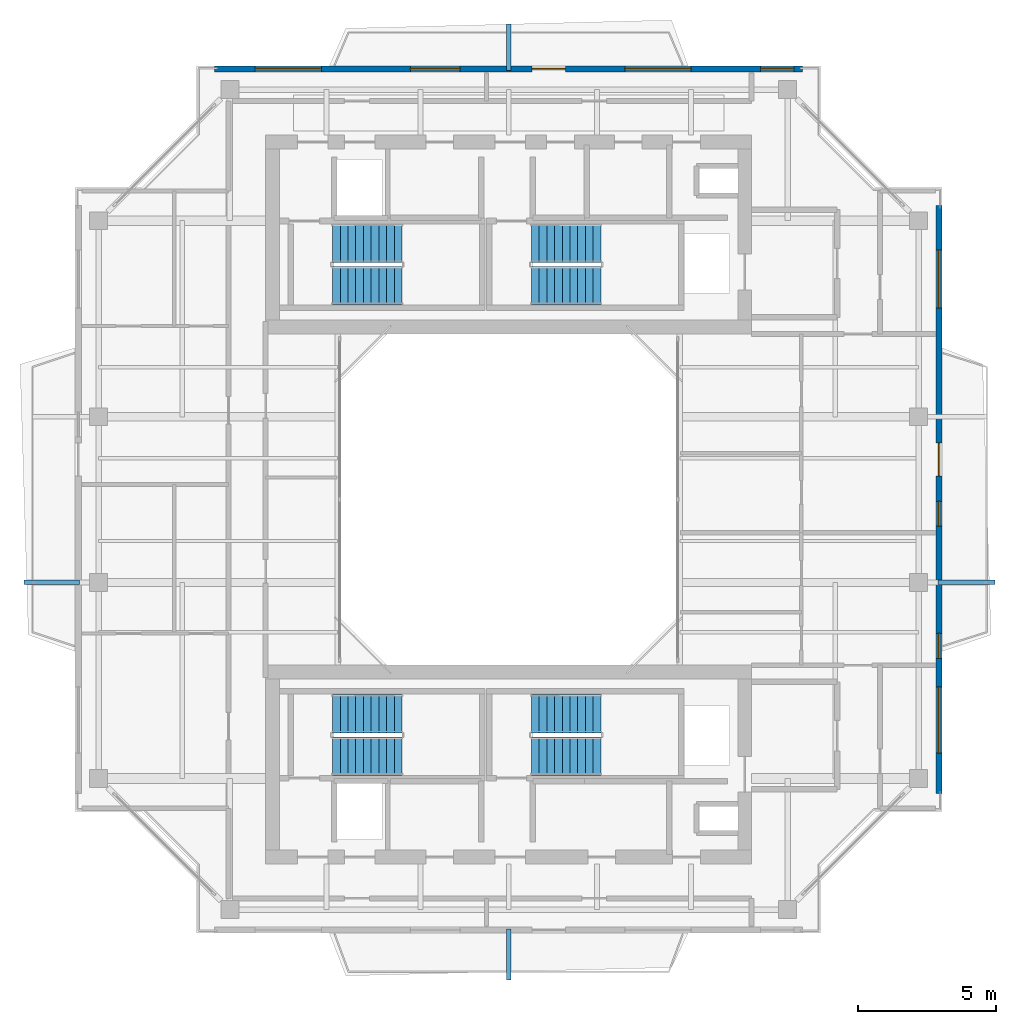
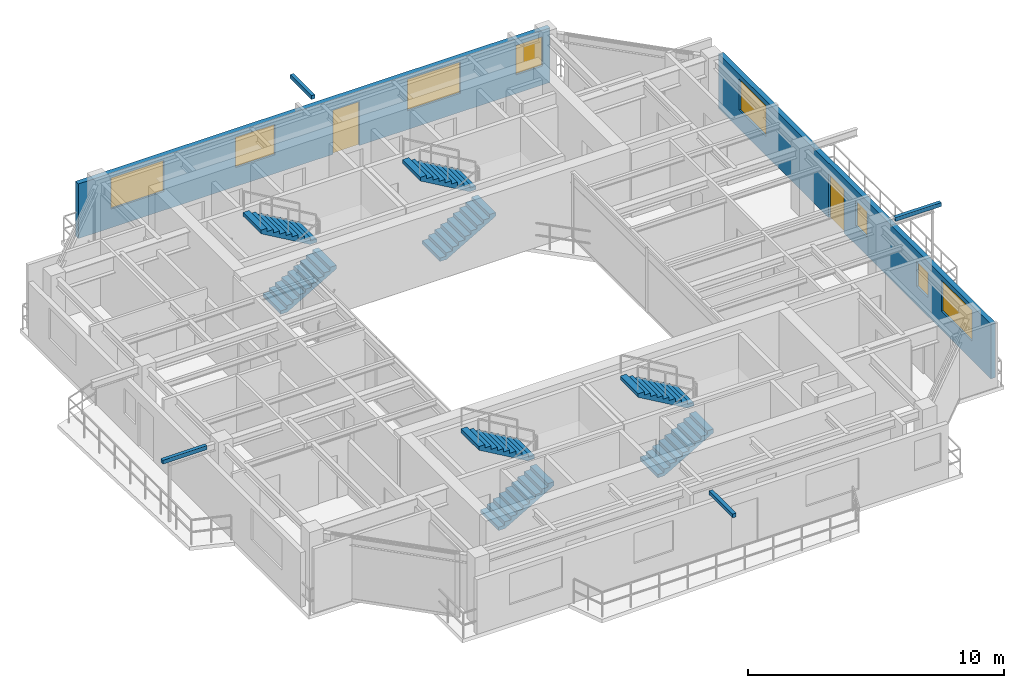
# One storey, part 12 of 14: 8 stair flights, 8 windows, 4 discrete accessories, 2 doors, 2 walls, 10 openings, 4 elements without a shape of their own.
"""IFC4 building model written with IfcOpenShell, lengths in metres."""

from ifc_helpers import new_model, si_unit, direction, frame, frame_2d, origin, origin_2d, place, context, subcontext, project, spatial, polyline, rectangle, outline, extrude, source, transform, mapped, material, layer, layer_set, type_object, element, fill, aggregate, save


model = new_model("IFC4")

# Units and contexts
model_context = context("Model", 3, precision=1e-05, world=origin(), true_north=direction((0.0, 1.0)))
body_context = subcontext(model_context, "Body", "Model", "MODEL_VIEW")
ifc_project = project(units=[si_unit("LENGTHUNIT", "METRE"), si_unit("AREAUNIT", "SQUARE_METRE"), si_unit("VOLUMEUNIT", "CUBIC_METRE"), si_unit("PLANEANGLEUNIT", "RADIAN"), si_unit("MASSUNIT", "GRAM", prefix="KILO"), si_unit("THERMODYNAMICTEMPERATUREUNIT", "KELVIN"), si_unit("POWERUNIT", "WATT")], contexts=[model_context])

# Site, building, storey
site_placement = place(None, origin())
site = spatial("IfcSite", under=ifc_project, at=site_placement, CompositionType="ELEMENT")
building_placement = place(site_placement, origin())
building = spatial("IfcBuilding", under=site, at=building_placement, Name="Qiaomeng Ring Towers", CompositionType="ELEMENT")
storey_placement = place(building_placement, frame((0.0, 0.0, 247.0)))
storey = spatial("IfcBuildingStorey", under=building, at=storey_placement, Name="L72", CompositionType="ELEMENT", Elevation=247.0)

# Wall, openings, windows, door
ifc_material_1 = material(Name="Precast concrete C40", Category="concrete")
ifc_layer = layer(ifc_material_1, 0.219970703125, Name="Precast concrete C40")
ifc_layer_set = layer_set([ifc_layer], Name="Precast concrete C40")
wall_type = type_object("IfcWallType", Name="ARC-WL-EW2", PredefinedType="STANDARD", material=ifc_layer_set)
wall_1_placement = place(storey_placement, frame((8.35009765625, 38.590087890625, 0.0), z_axis=(0.0, 0.0, 1.0), x_axis=(1.0, 0.0, 0.0)))
wall_1 = element("IfcWall", 1, at=wall_1_placement, inside=storey, type_object=wall_type, Name="L72 Tower 1 N Exterior Wall", PredefinedType="STANDARD", context=body_context, shape_type="SweptSolid", body=[
    extrude(rectangle(XDim=21.2998046875, YDim=0.219970703125, at=frame_2d((10.64990234375, 0.0))), origin(), (0.0, 0.0, 1.0), 2.610107421875),
])
opening_1_placement = place(wall_1_placement, frame((11.5, 0.0, 0.0)))
opening_1 = element("IfcOpeningElement", 2, at=opening_1_placement, cuts=wall_1, Name="Opening BD1", PredefinedType="OPENING", context=body_context, shape_type="SweptSolid", body=[
    extrude(rectangle(XDim=1.199951171875, YDim=2.10009765625, at=frame_2d((0.60009765625, 1.050048828125))), frame((0.0, 0.119873046875, 0.0), z_axis=(0.0, -1.0, 0.0), x_axis=(1.0, 0.0, 0.0)), (0.0, 0.0, 1.0), 0.239990234375),
])
opening_2_placement = place(wall_1_placement, frame((1.462890625, 0.0, 0.89990234375)))
opening_2 = element("IfcOpeningElement", 3, at=opening_2_placement, cuts=wall_1, Name="Opening WN6", PredefinedType="OPENING", context=body_context, shape_type="SweptSolid", body=[
    extrude(rectangle(XDim=2.39990234375, YDim=1.47998046875, at=frame_2d((1.199951171875, 0.739990234375))), frame((0.0, 0.119873046875, 0.0), z_axis=(0.0, -1.0, 0.0), x_axis=(1.0, 0.0, 0.0)), (0.0, 0.0, 1.0), 0.239990234375),
])
opening_3_placement = place(wall_1_placement, frame((7.087890625, 0.0, 0.89990234375)))
opening_3 = element("IfcOpeningElement", 4, at=opening_3_placement, cuts=wall_1, Name="Opening WN1", PredefinedType="OPENING", context=body_context, shape_type="SweptSolid", body=[
    extrude(rectangle(XDim=1.800048828125, YDim=1.449951171875, at=frame_2d((0.89990234375, 0.72509765625))), frame((0.0, 0.119873046875, 0.0), z_axis=(0.0, -1.0, 0.0), x_axis=(1.0, 0.0, 0.0)), (0.0, 0.0, 1.0), 0.239990234375),
])
opening_4_placement = place(wall_1_placement, frame((19.77490234375, 0.0, 0.89990234375)))
opening_4 = element("IfcOpeningElement", 5, at=opening_4_placement, cuts=wall_1, Name="Opening WN3", PredefinedType="OPENING", context=body_context, shape_type="SweptSolid", body=[
    extrude(rectangle(XDim=1.199951171875, YDim=1.39990234375, at=frame_2d((0.60009765625, 0.699951171875))), frame((0.0, 0.119873046875, 0.0), z_axis=(0.0, -1.0, 0.0), x_axis=(1.0, 0.0, 0.0)), (0.0, 0.0, 1.0), 0.239990234375),
])
opening_5_placement = place(wall_1_placement, frame((14.860107421875, 0.0, 0.89990234375)))
opening_5 = element("IfcOpeningElement", 6, at=opening_5_placement, cuts=wall_1, Name="Opening WN6", PredefinedType="OPENING", context=body_context, shape_type="SweptSolid", body=[
    extrude(rectangle(XDim=2.39990234375, YDim=1.5, at=frame_2d((1.199951171875, 0.75))), frame((0.0, 0.119873046875, 0.0), z_axis=(0.0, -1.0, 0.0), x_axis=(1.0, 0.0, 0.0)), (0.0, 0.0, 1.0), 0.239990234375),
])
ifc_material_2 = material(Name="Low-E dark-grey laminated double glazing", Category="glass")
window_type_1 = type_object("IfcWindowType", Name="ARC-WN-1", PartitioningType="DOUBLE_PANEL_VERTICAL", PredefinedType="WINDOW", material=ifc_material_2)
shared_shape_1 = source(origin(), body_context, "Body", "SweptSolid", [
    extrude(rectangle(XDim=1.800048828125, YDim=1.449951171875, at=frame_2d((0.89990234375, 0.72509765625))), frame((0.0, 0.030029296875, 0.0), z_axis=(0.0, -1.0, 0.0), x_axis=(1.0, 0.0, 0.0)), (0.0, 0.0, 1.0), 0.06005859375),
])
window_1_placement = place(opening_3_placement, origin())
window_1 = element("IfcWindow", 7, at=window_1_placement, inside=storey, type_object=window_type_1, Name="L72 Exterior Window WN1", OverallHeight=1.449951171875, OverallWidth=1.800048828125, PartitioningType="DOUBLE_PANEL_VERTICAL", PredefinedType="WINDOW", context=body_context, shape_type="MappedRepresentation", body=[
    mapped(shared_shape_1, transform((0.0, 0.0, 0.0), x_axis=(1.0, 0.0, 0.0), y_axis=(0.0, 1.0, 0.0), z_axis=(0.0, 0.0, 1.0), scale=1.0)),
])
fill(opening_3, window_1)
window_type_2 = type_object("IfcWindowType", Name="ARC-WN-6", PartitioningType="TRIPLE_PANEL_VERTICAL", PredefinedType="WINDOW", material=ifc_material_2)
shared_shape_2 = source(origin(), body_context, "Body", "SweptSolid", [
    extrude(rectangle(XDim=2.39990234375, YDim=1.47998046875, at=frame_2d((1.199951171875, 0.739990234375))), frame((0.0, 0.030029296875, 0.0), z_axis=(0.0, -1.0, 0.0), x_axis=(1.0, 0.0, 0.0)), (0.0, 0.0, 1.0), 0.06005859375),
])
window_2_placement = place(opening_2_placement, origin())
window_2 = element("IfcWindow", 8, at=window_2_placement, inside=storey, type_object=window_type_2, Name="L72 Exterior Window WN6", OverallHeight=1.47998046875, OverallWidth=2.39990234375, PartitioningType="TRIPLE_PANEL_VERTICAL", PredefinedType="WINDOW", context=body_context, shape_type="MappedRepresentation", body=[
    mapped(shared_shape_2, transform((0.0, 0.0, 0.0), x_axis=(1.0, 0.0, 0.0), y_axis=(0.0, 1.0, 0.0), z_axis=(0.0, 0.0, 1.0), scale=1.0)),
])
fill(opening_2, window_2)
door_type = type_object("IfcDoorType", Name="ARC-DR-BD1", OperationType="NOTDEFINED", PredefinedType="DOOR", material=ifc_material_2)
shared_shape_3 = source(origin(), body_context, "Body", "SweptSolid", [
    extrude(rectangle(XDim=1.199951171875, YDim=2.10009765625, at=frame_2d((0.60009765625, 1.050048828125))), frame((0.0, 0.02490234375, 0.0), z_axis=(0.0, -1.0, 0.0), x_axis=(1.0, 0.0, 0.0)), (0.0, 0.0, 1.0), 0.050048828125),
])
door_1_placement = place(opening_1_placement, origin())
door_1 = element("IfcDoor", 9, at=door_1_placement, inside=storey, type_object=door_type, Name="L72 N Balcony Glazed Door", OperationType="SINGLE_SWING_LEFT", OverallHeight=2.10009765625, OverallWidth=1.199951171875, PredefinedType="DOOR", context=body_context, shape_type="MappedRepresentation", body=[
    mapped(shared_shape_3, transform((0.0, 0.0, 0.0), x_axis=(1.0, 0.0, 0.0), y_axis=(0.0, 1.0, 0.0), z_axis=(0.0, 0.0, 1.0), scale=1.0)),
])
fill(opening_1, door_1)
shared_shape_4 = source(origin(), body_context, "Body", "SweptSolid", [
    extrude(rectangle(XDim=2.39990234375, YDim=1.5, at=frame_2d((1.199951171875, 0.75))), frame((0.0, 0.030029296875, 0.0), z_axis=(0.0, -1.0, 0.0), x_axis=(1.0, 0.0, 0.0)), (0.0, 0.0, 1.0), 0.06005859375),
])
window_3_placement = place(opening_5_placement, origin())
window_3 = element("IfcWindow", 10, at=window_3_placement, inside=storey, type_object=window_type_2, Name="L72 Exterior Window WN6", OverallHeight=1.5, OverallWidth=2.39990234375, PartitioningType="TRIPLE_PANEL_VERTICAL", PredefinedType="WINDOW", context=body_context, shape_type="MappedRepresentation", body=[
    mapped(shared_shape_4, transform((0.0, 0.0, 0.0), x_axis=(1.0, 0.0, 0.0), y_axis=(0.0, 1.0, 0.0), z_axis=(0.0, 0.0, 1.0), scale=1.0)),
])
fill(opening_5, window_3)
window_type_3 = type_object("IfcWindowType", Name="ARC-WN-3", PartitioningType="SINGLE_PANEL", PredefinedType="WINDOW", material=ifc_material_2)
shared_shape_5 = source(origin(), body_context, "Body", "SweptSolid", [
    extrude(rectangle(XDim=1.199951171875, YDim=1.39990234375, at=frame_2d((0.60009765625, 0.699951171875))), frame((0.0, 0.030029296875, 0.0), z_axis=(0.0, -1.0, 0.0), x_axis=(1.0, 0.0, 0.0)), (0.0, 0.0, 1.0), 0.06005859375),
])
window_4_placement = place(opening_4_placement, origin())
window_4 = element("IfcWindow", 11, at=window_4_placement, inside=storey, type_object=window_type_3, Name="L72 Exterior Window WN4", OverallHeight=1.39990234375, OverallWidth=1.199951171875, PartitioningType="TRIPLE_PANEL_VERTICAL", PredefinedType="WINDOW", context=body_context, shape_type="MappedRepresentation", body=[
    mapped(shared_shape_5, transform((0.0, 0.0, 0.0), x_axis=(1.0, 0.0, 0.0), y_axis=(0.0, 1.0, 0.0), z_axis=(0.0, 0.0, 1.0), scale=1.0)),
])
fill(opening_4, window_4)

wall_2_placement = place(storey_placement, frame((34.590087890625, 12.35009765625, 0.0), z_axis=(0.0, 0.0, 1.0), x_axis=(0.0, 1.0, 0.0)))
wall_2 = element("IfcWall", 12, at=wall_2_placement, inside=storey, type_object=wall_type, Name="L72 Tower 1 E Exterior Wall", PredefinedType="STANDARD", context=body_context, shape_type="SweptSolid", body=[
    extrude(rectangle(XDim=21.2998046875, YDim=0.219970703125, at=frame_2d((10.64990234375, 0.0))), origin(), (0.0, 0.0, 1.0), 2.610107421875),
])
opening_6_placement = place(wall_2_placement, frame((11.5, 0.0, 0.0)))
opening_6 = element("IfcOpeningElement", 13, at=opening_6_placement, cuts=wall_2, Name="Opening BD1", PredefinedType="OPENING", context=body_context, shape_type="SweptSolid", body=[
    extrude(rectangle(XDim=1.199951171875, YDim=2.10009765625, at=frame_2d((0.60009765625, 1.050048828125))), frame((0.0, 0.119873046875, 0.0), z_axis=(0.0, -1.0, 0.0), x_axis=(1.0, 0.0, 0.0)), (0.0, 0.0, 1.0), 0.239990234375),
])
opening_7_placement = place(wall_2_placement, frame((1.462890625, 0.0, 0.89990234375)))
opening_7 = element("IfcOpeningElement", 14, at=opening_7_placement, cuts=wall_2, Name="Opening WN6", PredefinedType="OPENING", context=body_context, shape_type="SweptSolid", body=[
    extrude(rectangle(XDim=2.39990234375, YDim=1.47998046875, at=frame_2d((1.199951171875, 0.739990234375))), frame((0.0, 0.119873046875, 0.0), z_axis=(0.0, -1.0, 0.0), x_axis=(1.0, 0.0, 0.0)), (0.0, 0.0, 1.0), 0.239990234375),
])
opening_8_placement = place(wall_2_placement, frame((17.587890625, 0.0, 0.89990234375)))
opening_8 = element("IfcOpeningElement", 15, at=opening_8_placement, cuts=wall_2, Name="Opening WN4", PredefinedType="OPENING", context=body_context, shape_type="SweptSolid", body=[
    extrude(rectangle(XDim=2.10009765625, YDim=1.47998046875, at=frame_2d((1.050048828125, 0.739990234375))), frame((0.0, 0.119873046875, 0.0), z_axis=(0.0, -1.0, 0.0), x_axis=(1.0, 0.0, 0.0)), (0.0, 0.0, 1.0), 0.239990234375),
])
opening_9_placement = place(wall_2_placement, frame((4.89990234375, 0.0, 0.89990234375)))
opening_9 = element("IfcOpeningElement", 16, at=opening_9_placement, cuts=wall_2, Name="Opening WN5", PredefinedType="OPENING", context=body_context, shape_type="SweptSolid", body=[
    extrude(rectangle(XDim=0.89990234375, YDim=1.199951171875, at=frame_2d((0.449951171875, 0.60009765625))), frame((0.0, 0.119873046875, 0.0), z_axis=(0.0, -1.0, 0.0), x_axis=(1.0, 0.0, 0.0)), (0.0, 0.0, 1.0), 0.239990234375),
])
opening_10_placement = place(wall_2_placement, frame((9.68505859375, 0.0, 0.89990234375)))
opening_10 = element("IfcOpeningElement", 17, at=opening_10_placement, cuts=wall_2, Name="Opening WN5", PredefinedType="OPENING", context=body_context, shape_type="SweptSolid", body=[
    extrude(rectangle(XDim=0.89990234375, YDim=1.199951171875, at=frame_2d((0.449951171875, 0.60009765625))), frame((0.0, 0.119873046875, 0.0), z_axis=(0.0, -1.0, 0.0), x_axis=(1.0, 0.0, 0.0)), (0.0, 0.0, 1.0), 0.239990234375),
])
window_type_4 = type_object("IfcWindowType", Name="ARC-WN-4", PartitioningType="TRIPLE_PANEL_VERTICAL", PredefinedType="WINDOW", material=ifc_material_2)
shared_shape_6 = source(origin(), body_context, "Body", "SweptSolid", [
    extrude(rectangle(XDim=2.10009765625, YDim=1.47998046875, at=frame_2d((1.050048828125, 0.739990234375))), frame((0.0, 0.030029296875, 0.0), z_axis=(0.0, -1.0, 0.0), x_axis=(1.0, 0.0, 0.0)), (0.0, 0.0, 1.0), 0.06005859375),
])
window_5_placement = place(opening_8_placement, origin())
window_5 = element("IfcWindow", 18, at=window_5_placement, inside=storey, type_object=window_type_4, Name="L72 Exterior Window WN4", OverallHeight=1.47998046875, OverallWidth=2.10009765625, PartitioningType="TRIPLE_PANEL_VERTICAL", PredefinedType="WINDOW", context=body_context, shape_type="MappedRepresentation", body=[
    mapped(shared_shape_6, transform((0.0, 0.0, 0.0), x_axis=(1.0, 0.0, 0.0), y_axis=(0.0, 1.0, 0.0), z_axis=(0.0, 0.0, 1.0), scale=1.0)),
])
fill(opening_8, window_5)
window_6_placement = place(opening_7_placement, origin())
window_6 = element("IfcWindow", 19, at=window_6_placement, inside=storey, type_object=window_type_2, Name="L72 Exterior Window WN6", OverallHeight=1.47998046875, OverallWidth=2.39990234375, PartitioningType="TRIPLE_PANEL_VERTICAL", PredefinedType="WINDOW", context=body_context, shape_type="MappedRepresentation", body=[
    mapped(shared_shape_2, transform((0.0, 0.0, 0.0), x_axis=(1.0, 0.0, 0.0), y_axis=(0.0, 1.0, 0.0), z_axis=(0.0, 0.0, 1.0), scale=1.0)),
])
fill(opening_7, window_6)
door_2_placement = place(opening_6_placement, origin())
door_2 = element("IfcDoor", 20, at=door_2_placement, inside=storey, type_object=door_type, Name="L72 E Balcony Glazed Door", OperationType="SINGLE_SWING_LEFT", OverallHeight=2.10009765625, OverallWidth=1.199951171875, PredefinedType="DOOR", context=body_context, shape_type="MappedRepresentation", body=[
    mapped(shared_shape_3, transform((0.0, 0.0, 0.0), x_axis=(1.0, 0.0, 0.0), y_axis=(0.0, 1.0, 0.0), z_axis=(0.0, 0.0, 1.0), scale=1.0)),
])
fill(opening_6, door_2)
window_type_5 = type_object("IfcWindowType", Name="ARC-WN-5", PartitioningType="SINGLE_PANEL", PredefinedType="WINDOW", material=ifc_material_2)
shared_shape_7 = source(origin(), body_context, "Body", "SweptSolid", [
    extrude(rectangle(XDim=0.89990234375, YDim=1.199951171875, at=frame_2d((0.449951171875, 0.60009765625))), frame((0.0, 0.030029296875, 0.0), z_axis=(0.0, -1.0, 0.0), x_axis=(1.0, 0.0, 0.0)), (0.0, 0.0, 1.0), 0.06005859375),
])
window_7_placement = place(opening_9_placement, origin())
window_7 = element("IfcWindow", 21, at=window_7_placement, inside=storey, type_object=window_type_5, Name="L72 Exterior Window WN5", OverallHeight=1.199951171875, OverallWidth=0.89990234375, PartitioningType="SINGLE_PANEL", PredefinedType="WINDOW", context=body_context, shape_type="MappedRepresentation", body=[
    mapped(shared_shape_7, transform((0.0, 0.0, 0.0), x_axis=(1.0, 0.0, 0.0), y_axis=(0.0, 1.0, 0.0), z_axis=(0.0, 0.0, 1.0), scale=1.0)),
])
fill(opening_9, window_7)
window_8_placement = place(opening_10_placement, origin())
window_8 = element("IfcWindow", 22, at=window_8_placement, inside=storey, type_object=window_type_5, Name="L72 Exterior Window WN5", OverallHeight=1.199951171875, OverallWidth=0.89990234375, PartitioningType="SINGLE_PANEL", PredefinedType="WINDOW", context=body_context, shape_type="MappedRepresentation", body=[
    mapped(shared_shape_7, transform((0.0, 0.0, 0.0), x_axis=(1.0, 0.0, 0.0), y_axis=(0.0, 1.0, 0.0), z_axis=(0.0, 0.0, 1.0), scale=1.0)),
])
fill(opening_10, window_8)

# Stair, stair flights
stair_type = type_object("IfcStairType", Name="ARC-ST-325", PredefinedType="HALF_TURN_STAIR", material=ifc_material_1)
stair_1_placement = place(storey_placement, origin())
stair_1 = element("IfcStair", 23, at=stair_1_placement, inside=storey, type_object=stair_type, Name="L72 Tower 1 North Stair 1", PredefinedType="HALF_TURN_STAIR")
stair_flight_type = type_object("IfcStairFlightType", Name="ARC-ST-325-FL", PredefinedType="STRAIGHT", material=ifc_material_1)
shared_shape_8 = source(origin(), body_context, "Body", "SweptSolid", [
    extrude(outline(polyline([(0.0, 0.0), (0.0, 0.16259765625), (0.280029296875, 0.16259765625), (0.280029296875, 0.324951171875), (0.56005859375, 0.324951171875), (0.56005859375, 0.487548828125), (0.840087890625, 0.487548828125), (0.840087890625, 0.64990234375), (1.1201171875, 0.64990234375), (1.1201171875, 0.8125), (1.39990234375, 0.8125), (1.39990234375, 0.97509765625), (1.679931640625, 0.97509765625), (1.679931640625, 1.137451171875), (1.9599609375, 1.137451171875), (1.9599609375, 1.300048828125), (2.239990234375, 1.300048828125), (2.239990234375, 1.46240234375), (2.52001953125, 1.46240234375), (2.52001953125, 1.625), (2.52001953125, 1.2890625), (0.298583984375, 0.0), (0.0, 0.0)])), frame((0.0, 0.699951171875, 0.0), z_axis=(0.0, -1.0, 0.0), x_axis=(1.0, 0.0, 0.0)), (0.0, 0.0, 1.0), 1.39990234375),
])
stair_flight_1_placement = place(storey_placement, frame((12.6201171875, 30.75, 0.0), z_axis=(0.0, 0.0, 1.0), x_axis=(1.0, 0.0, 0.0)))
stair_flight_1 = element("IfcStairFlight", 24, at=stair_flight_1_placement, type_object=stair_flight_type, Name="ST1 flight 1", NumberOfRisers=10, NumberOfTreads=9, PredefinedType="STRAIGHT", RiserHeight=0.1625, TreadLength=0.28, context=body_context, shape_type="MappedRepresentation", body=[
    mapped(shared_shape_8, transform((0.0, 0.0, 0.0), x_axis=(1.0, 0.0, 0.0), y_axis=(0.0, 1.0, 0.0), z_axis=(0.0, 0.0, 1.0), scale=1.0)),
])
stair_flight_2_placement = place(storey_placement, frame((15.139892578125, 32.2900390625, 1.625), z_axis=(0.0, 0.0, 1.0), x_axis=(-1.0, 0.0, 0.0)))
stair_flight_2 = element("IfcStairFlight", 25, at=stair_flight_2_placement, type_object=stair_flight_type, Name="ST1 flight 2", NumberOfRisers=10, NumberOfTreads=9, PredefinedType="STRAIGHT", RiserHeight=0.1625, TreadLength=0.28, context=body_context, shape_type="MappedRepresentation", body=[
    mapped(shared_shape_8, transform((0.0, 0.0, 0.0), x_axis=(1.0, 0.0, 0.0), y_axis=(0.0, 1.0, 0.0), z_axis=(0.0, 0.0, 1.0), scale=1.0)),
])
aggregate(stair_1, [stair_flight_1, stair_flight_2])

stair_2_placement = place(storey_placement, origin())
stair_2 = element("IfcStair", 26, at=stair_2_placement, inside=storey, type_object=stair_type, Name="L72 Tower 1 North Stair 2", PredefinedType="HALF_TURN_STAIR")
stair_flight_3_placement = place(storey_placement, frame((19.820068359375, 30.75, 0.0), z_axis=(0.0, 0.0, 1.0), x_axis=(1.0, 0.0, 0.0)))
stair_flight_3 = element("IfcStairFlight", 27, at=stair_flight_3_placement, type_object=stair_flight_type, Name="ST2 flight 1", NumberOfRisers=10, NumberOfTreads=9, PredefinedType="STRAIGHT", RiserHeight=0.1625, TreadLength=0.28, context=body_context, shape_type="MappedRepresentation", body=[
    mapped(shared_shape_8, transform((0.0, 0.0, 0.0), x_axis=(1.0, 0.0, 0.0), y_axis=(0.0, 1.0, 0.0), z_axis=(0.0, 0.0, 1.0), scale=1.0)),
])
stair_flight_4_placement = place(storey_placement, frame((22.340087890625, 32.2900390625, 1.625), z_axis=(0.0, 0.0, 1.0), x_axis=(-1.0, 0.0, 0.0)))
stair_flight_4 = element("IfcStairFlight", 28, at=stair_flight_4_placement, type_object=stair_flight_type, Name="ST2 flight 2", NumberOfRisers=10, NumberOfTreads=9, PredefinedType="STRAIGHT", RiserHeight=0.1625, TreadLength=0.28, context=body_context, shape_type="MappedRepresentation", body=[
    mapped(shared_shape_8, transform((0.0, 0.0, 0.0), x_axis=(1.0, 0.0, 0.0), y_axis=(0.0, 1.0, 0.0), z_axis=(0.0, 0.0, 1.0), scale=1.0)),
])
aggregate(stair_2, [stair_flight_3, stair_flight_4])

stair_3_placement = place(storey_placement, origin())
stair_3 = element("IfcStair", 29, at=stair_3_placement, inside=storey, type_object=stair_type, Name="L72 Tower 1 South Stair 3", PredefinedType="HALF_TURN_STAIR")
stair_flight_5_placement = place(storey_placement, frame((12.6201171875, 13.7099609375, 0.0), z_axis=(0.0, 0.0, 1.0), x_axis=(1.0, 0.0, 0.0)))
stair_flight_5 = element("IfcStairFlight", 30, at=stair_flight_5_placement, type_object=stair_flight_type, Name="ST3 flight 1", NumberOfRisers=10, NumberOfTreads=9, PredefinedType="STRAIGHT", RiserHeight=0.1625, TreadLength=0.28, context=body_context, shape_type="MappedRepresentation", body=[
    mapped(shared_shape_8, transform((0.0, 0.0, 0.0), x_axis=(1.0, 0.0, 0.0), y_axis=(0.0, 1.0, 0.0), z_axis=(0.0, 0.0, 1.0), scale=1.0)),
])
stair_flight_6_placement = place(storey_placement, frame((15.139892578125, 15.25, 1.625), z_axis=(0.0, 0.0, 1.0), x_axis=(-1.0, 0.0, 0.0)))
stair_flight_6 = element("IfcStairFlight", 31, at=stair_flight_6_placement, type_object=stair_flight_type, Name="ST3 flight 2", NumberOfRisers=10, NumberOfTreads=9, PredefinedType="STRAIGHT", RiserHeight=0.1625, TreadLength=0.28, context=body_context, shape_type="MappedRepresentation", body=[
    mapped(shared_shape_8, transform((0.0, 0.0, 0.0), x_axis=(1.0, 0.0, 0.0), y_axis=(0.0, 1.0, 0.0), z_axis=(0.0, 0.0, 1.0), scale=1.0)),
])
aggregate(stair_3, [stair_flight_5, stair_flight_6])

stair_4_placement = place(storey_placement, origin())
stair_4 = element("IfcStair", 32, at=stair_4_placement, inside=storey, type_object=stair_type, Name="L72 Tower 1 South Stair 4", PredefinedType="HALF_TURN_STAIR")
stair_flight_7_placement = place(storey_placement, frame((19.820068359375, 13.7099609375, 0.0), z_axis=(0.0, 0.0, 1.0), x_axis=(1.0, 0.0, 0.0)))
stair_flight_7 = element("IfcStairFlight", 33, at=stair_flight_7_placement, type_object=stair_flight_type, Name="ST4 flight 1", NumberOfRisers=10, NumberOfTreads=9, PredefinedType="STRAIGHT", RiserHeight=0.1625, TreadLength=0.28, context=body_context, shape_type="MappedRepresentation", body=[
    mapped(shared_shape_8, transform((0.0, 0.0, 0.0), x_axis=(1.0, 0.0, 0.0), y_axis=(0.0, 1.0, 0.0), z_axis=(0.0, 0.0, 1.0), scale=1.0)),
])
stair_flight_8_placement = place(storey_placement, frame((22.340087890625, 15.25, 1.625), z_axis=(0.0, 0.0, 1.0), x_axis=(-1.0, 0.0, 0.0)))
stair_flight_8 = element("IfcStairFlight", 34, at=stair_flight_8_placement, type_object=stair_flight_type, Name="ST4 flight 2", NumberOfRisers=10, NumberOfTreads=9, PredefinedType="STRAIGHT", RiserHeight=0.1625, TreadLength=0.28, context=body_context, shape_type="MappedRepresentation", body=[
    mapped(shared_shape_8, transform((0.0, 0.0, 0.0), x_axis=(1.0, 0.0, 0.0), y_axis=(0.0, 1.0, 0.0), z_axis=(0.0, 0.0, 1.0), scale=1.0)),
])
aggregate(stair_4, [stair_flight_7, stair_flight_8])

# Discrete accessories
ifc_material_3 = material(Name="Stainless steel 316", Category="steel")
discrete_accessory_type = type_object("IfcDiscreteAccessoryType", Name="ARC-ACC-BRACKET", PredefinedType="BRACKET", material=ifc_material_3)
shared_shape_9 = source(origin(), body_context, "Body", "SweptSolid", [
    extrude(rectangle(XDim=0.159912109375, YDim=1.85009765625, at=origin_2d()), origin(), (0.0, 0.0, 1.0), 0.179931640625),
])
discrete_accessory_1_placement = place(storey_placement, frame((19.0, 6.52490234375, 2.89990234375), z_axis=(0.0, 0.0, 1.0), x_axis=(1.0, 0.0, 0.0)))
element("IfcDiscreteAccessory", 35, at=discrete_accessory_1_placement, inside=storey, type_object=discrete_accessory_type, Name="L72 Stainless Outer-Skin Tie Bracket S", PredefinedType="BRACKET", context=body_context, shape_type="MappedRepresentation", body=[
    mapped(shared_shape_9, transform((0.0, 0.0, 0.0), x_axis=(1.0, 0.0, 0.0), y_axis=(0.0, 1.0, 0.0), z_axis=(0.0, 0.0, 1.0), scale=1.0)),
])
shared_shape_10 = source(origin(), body_context, "Body", "SweptSolid", [
    extrude(rectangle(XDim=0.159912109375, YDim=1.669921875, at=origin_2d()), origin(), (0.0, 0.0, 1.0), 0.179931640625),
])
discrete_accessory_2_placement = place(storey_placement, frame((19.0, 39.385009765625, 2.89990234375), z_axis=(0.0, 0.0, 1.0), x_axis=(1.0, 0.0, 0.0)))
element("IfcDiscreteAccessory", 36, at=discrete_accessory_2_placement, inside=storey, type_object=discrete_accessory_type, Name="L72 Stainless Outer-Skin Tie Bracket N", PredefinedType="BRACKET", context=body_context, shape_type="MappedRepresentation", body=[
    mapped(shared_shape_10, transform((0.0, 0.0, 0.0), x_axis=(1.0, 0.0, 0.0), y_axis=(0.0, 1.0, 0.0), z_axis=(0.0, 0.0, 1.0), scale=1.0)),
])
shared_shape_11 = source(origin(), body_context, "Body", "SweptSolid", [
    extrude(rectangle(XDim=2.0, YDim=0.159912109375, at=origin_2d()), origin(), (0.0, 0.0, 1.0), 0.179931640625),
])
discrete_accessory_3_placement = place(storey_placement, frame((2.449951171875, 20.0, 2.89990234375), z_axis=(0.0, 0.0, 1.0), x_axis=(1.0, 0.0, 0.0)))
element("IfcDiscreteAccessory", 37, at=discrete_accessory_3_placement, inside=storey, type_object=discrete_accessory_type, Name="L72 Stainless Outer-Skin Tie Bracket W", PredefinedType="BRACKET", context=body_context, shape_type="MappedRepresentation", body=[
    mapped(shared_shape_11, transform((0.0, 0.0, 0.0), x_axis=(1.0, 0.0, 0.0), y_axis=(0.0, 1.0, 0.0), z_axis=(0.0, 0.0, 1.0), scale=1.0)),
])
shared_shape_12 = source(origin(), body_context, "Body", "SweptSolid", [
    extrude(rectangle(XDim=2.070068359375, YDim=0.159912109375, at=origin_2d()), origin(), (0.0, 0.0, 1.0), 0.179931640625),
])
discrete_accessory_4_placement = place(storey_placement, frame((35.5849609375, 20.0, 2.89990234375), z_axis=(0.0, 0.0, 1.0), x_axis=(1.0, 0.0, 0.0)))
element("IfcDiscreteAccessory", 38, at=discrete_accessory_4_placement, inside=storey, type_object=discrete_accessory_type, Name="L72 Stainless Outer-Skin Tie Bracket E", PredefinedType="BRACKET", context=body_context, shape_type="MappedRepresentation", body=[
    mapped(shared_shape_12, transform((0.0, 0.0, 0.0), x_axis=(1.0, 0.0, 0.0), y_axis=(0.0, 1.0, 0.0), z_axis=(0.0, 0.0, 1.0), scale=1.0)),
])

save(model, "model.ifc")
